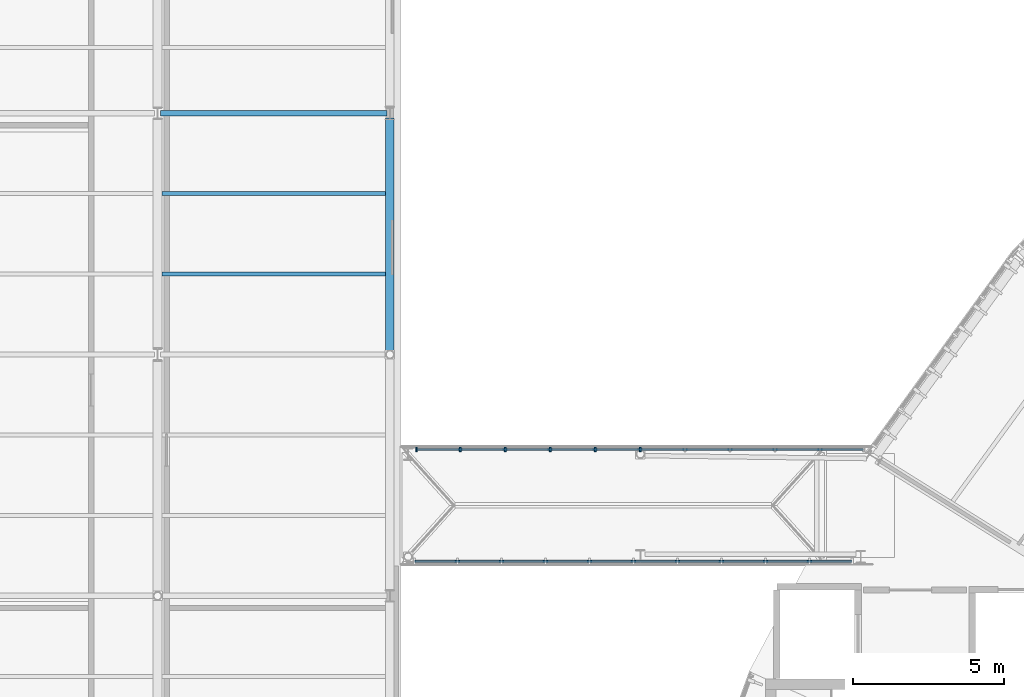
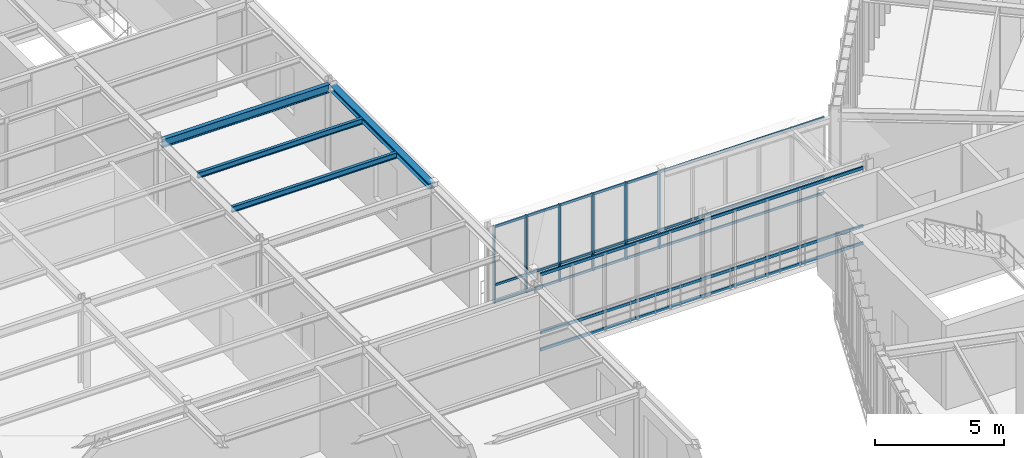
# One storey, part 15 of 52: 12 members, 4 beams, 2 elements without a shape of their own.
"""IFC4 building model written with IfcOpenShell, lengths in metres."""

from ifc_helpers import new_model, si_unit, direction, frame, origin, origin_2d, place, context, subcontext, project, spatial, rectangle, i_section, extrude, material, layer, layer_set, material_profile, profile_set, type_object, element, aggregate, save


model = new_model("IFC4")

# Units and contexts
model_context = context("Model", 3, precision=1e-05, world=origin(), true_north=direction((0.0, 1.0)))
body_context = subcontext(model_context, "Body", "Model", "MODEL_VIEW")
ifc_project = project(units=[si_unit("LENGTHUNIT", "METRE"), si_unit("AREAUNIT", "SQUARE_METRE"), si_unit("VOLUMEUNIT", "CUBIC_METRE"), si_unit("PLANEANGLEUNIT", "RADIAN"), si_unit("MASSUNIT", "GRAM", prefix="KILO"), si_unit("THERMODYNAMICTEMPERATUREUNIT", "KELVIN"), si_unit("POWERUNIT", "WATT")], contexts=[model_context])

# Site, building, storey
site_placement = place(None, origin())
site = spatial("IfcSite", under=ifc_project, at=site_placement, CompositionType="ELEMENT")
building_placement = place(site_placement, origin())
building = spatial("IfcBuilding", under=site, at=building_placement, Name="Solvatero Civic Police Headquarters", CompositionType="ELEMENT")
storey_placement = place(building_placement, frame((0.0, 0.0, 13.5)))
storey = spatial("IfcBuildingStorey", under=building, at=storey_placement, Name="L03", CompositionType="ELEMENT", Elevation=13.5)

# Beams
ifc_material_1 = material(Name="Steel S355", Category="steel")
ifc_material_profile_1 = material_profile(ifc_material_1, i_section(OverallWidth=0.280029296875, OverallDepth=0.27001953125, WebThickness=0.008056640625, FlangeThickness=0.012939453125, FilletRadius=0.02392578125, at=origin_2d()), Name="HEA 280")
ifc_profile_set_1 = profile_set([ifc_material_profile_1], Name="Steel S355")
beam_type_1 = type_object("IfcBeamType", Name="BM-ST-HEA280", PredefinedType="SPANDREL", material=ifc_profile_set_1)
beam_1_placement = place(storey_placement, frame((28.199951171875, 60.638427734375, 3.864990234375), z_axis=(0.0, 1.0, 0.0), x_axis=(-1.0, 0.0, 0.0)))
element("IfcBeam", 1, at=beam_1_placement, inside=storey, type_object=beam_type_1, Name="Perimeter / radial spandrel beam BM-R2-L03-V6-GY-4-3", PredefinedType="SPANDREL", context=body_context, shape_type="SweptSolid", body=[
    extrude(i_section(OverallWidth=0.280029296875, OverallDepth=0.27001953125, WebThickness=0.008056640625, FlangeThickness=0.012939453125, FilletRadius=0.02392578125, at=origin_2d()), origin(), (0.0, 0.0, 1.0), 7.70166015625),
])
ifc_material_profile_2 = material_profile(ifc_material_1, i_section(OverallWidth=0.135009765625, OverallDepth=0.27001953125, WebThickness=0.006591796875, FlangeThickness=0.01025390625, FilletRadius=0.014892578125, at=origin_2d()), Name="IPE 270")
ifc_profile_set_2 = profile_set([ifc_material_profile_2], Name="Steel S355")
beam_type_2 = type_object("IfcBeamType", Name="BM-ST-IPE270", PredefinedType="BEAM", material=ifc_profile_set_2)
for number, where, z_axis, x_axis, name in (
    (2, (20.64990234375, 63.166748046875, 3.864990234375), (1.0, 0.0, 0.0), (0.0, 1.0, 0.0), "Composite floor beam BM-R2-L03-V6-SEC-3-3-S1"),
    (3, (20.64990234375, 65.833251953125, 3.864990234375), (1.0, 0.0, 0.0), (0.0, 1.0, 0.0), "Composite floor beam BM-R2-L03-V6-SEC-3-3-S2"),
):
    element("IfcBeam", number, at=place(storey_placement, frame(where, z_axis=z_axis, x_axis=x_axis)), inside=storey, type_object=beam_type_2, Name=name, PredefinedType="BEAM", context=body_context, shape_type="SweptSolid", body=[
        extrude(i_section(OverallWidth=0.135009765625, OverallDepth=0.27001953125, WebThickness=0.006591796875, FlangeThickness=0.01025390625, FilletRadius=0.014892578125, at=origin_2d()), origin(), (0.0, 0.0, 1.0), 7.41015625),
    ])
ifc_material_profile_3 = material_profile(ifc_material_1, i_section(OverallWidth=0.179931640625, OverallDepth=0.39990234375, WebThickness=0.008544921875, FlangeThickness=0.013427734375, FilletRadius=0.02099609375, at=origin_2d()), Name="IPE 400")
ifc_profile_set_3 = profile_set([ifc_material_profile_3], Name="Steel S355")
beam_type_3 = type_object("IfcBeamType", Name="BM-ST-IPE400", PredefinedType="BEAM", material=ifc_profile_set_3)
beam_2_placement = place(storey_placement, frame((20.60009765625, 68.5, 3.800048828125), z_axis=(1.0, 0.0, 0.0), x_axis=(0.0, 1.0, 0.0)))
element("IfcBeam", 4, at=beam_2_placement, inside=storey, type_object=beam_type_3, Name="Primary girder BM-R2-L03-V6-GX-3-4", PredefinedType="BEAM", context=body_context, shape_type="SweptSolid", body=[
    extrude(i_section(OverallWidth=0.179931640625, OverallDepth=0.39990234375, WebThickness=0.008544921875, FlangeThickness=0.013427734375, FilletRadius=0.02099609375, at=origin_2d()), origin(), (0.0, 0.0, 1.0), 7.5),
])

# Curtain wall, members
ifc_material_2 = material(Name="Anodized Bronze Aluminium", Category="aluminium")
ifc_layer = layer(ifc_material_2, 0.179931640625)
ifc_layer_set = layer_set([ifc_layer], Name="Anodized Bronze Aluminium")
curtain_wall_type = type_object("IfcCurtainWallType", Name="CW-SB-GLZ", PredefinedType="USERDEFINED", material=ifc_layer_set)
curtain_wall_1_placement = place(storey_placement, origin())
curtain_wall_1 = element("IfcCurtainWall", 5, at=curtain_wall_1_placement, inside=storey, type_object=curtain_wall_type, Name="Curtain Wall CW-R2-L03-SB1-N", ObjectType="UNITISED", PredefinedType="USERDEFINED")
ifc_material_profile_4 = material_profile(ifc_material_2, rectangle(XDim=0.06005859375, YDim=0.159912109375, at=origin_2d()), Name="ALU MULLION 60x160")
ifc_profile_set_4 = profile_set([ifc_material_profile_4], Name="Anodized Bronze Aluminium")
member_type_1 = type_object("IfcMemberType", Name="CWM-180x70", PredefinedType="MULLION", material=ifc_profile_set_4)
member_1_placement = place(storey_placement, frame((29.080078125, 57.35009765625, 0.0), z_axis=(0.0, 0.0, 1.0), x_axis=(1.0, 0.0, 0.0)))
member_1 = element("IfcMember", 6, at=member_1_placement, type_object=member_type_1, Name="CW-R2-L03-SB1-N Mullion 1", PredefinedType="MULLION", context=body_context, shape_type="SweptSolid", body=[
    extrude(rectangle(XDim=0.06005859375, YDim=0.159912109375, at=origin_2d()), origin(), (0.0, 0.0, 1.0), 3.64990234375),
])
member_2_placement = place(storey_placement, frame((30.530029296875, 57.35009765625, 0.0), z_axis=(0.0, 0.0, 1.0), x_axis=(1.0, 0.0, 0.0)))
member_2 = element("IfcMember", 7, at=member_2_placement, type_object=member_type_1, Name="CW-R2-L03-SB1-N Mullion 2", PredefinedType="MULLION", context=body_context, shape_type="SweptSolid", body=[
    extrude(rectangle(XDim=0.06005859375, YDim=0.159912109375, at=origin_2d()), origin(), (0.0, 0.0, 1.0), 3.64990234375),
])
member_3_placement = place(storey_placement, frame((32.02001953125, 57.35009765625, 0.0), z_axis=(0.0, 0.0, 1.0), x_axis=(1.0, 0.0, 0.0)))
member_3 = element("IfcMember", 8, at=member_3_placement, type_object=member_type_1, Name="CW-R2-L03-SB1-N Mullion 3", PredefinedType="MULLION", context=body_context, shape_type="SweptSolid", body=[
    extrude(rectangle(XDim=0.06005859375, YDim=0.159912109375, at=origin_2d()), origin(), (0.0, 0.0, 1.0), 3.64990234375),
])
member_4_placement = place(storey_placement, frame((33.510009765625, 57.35009765625, 0.0), z_axis=(0.0, 0.0, 1.0), x_axis=(1.0, 0.0, 0.0)))
member_4 = element("IfcMember", 9, at=member_4_placement, type_object=member_type_1, Name="CW-R2-L03-SB1-N Mullion 4", PredefinedType="MULLION", context=body_context, shape_type="SweptSolid", body=[
    extrude(rectangle(XDim=0.06005859375, YDim=0.159912109375, at=origin_2d()), origin(), (0.0, 0.0, 1.0), 3.64990234375),
])
member_5_placement = place(storey_placement, frame((35.0, 57.35009765625, 0.0), z_axis=(0.0, 0.0, 1.0), x_axis=(1.0, 0.0, 0.0)))
member_5 = element("IfcMember", 10, at=member_5_placement, type_object=member_type_1, Name="CW-R2-L03-SB1-N Mullion 5", PredefinedType="MULLION", context=body_context, shape_type="SweptSolid", body=[
    extrude(rectangle(XDim=0.06005859375, YDim=0.159912109375, at=origin_2d()), origin(), (0.0, 0.0, 1.0), 3.64990234375),
])
member_6_placement = place(storey_placement, frame((36.489990234375, 57.35009765625, 0.0), z_axis=(0.0, 0.0, 1.0), x_axis=(1.0, 0.0, 0.0)))
member_6 = element("IfcMember", 11, at=member_6_placement, type_object=member_type_1, Name="CW-R2-L03-SB1-N Mullion 6", PredefinedType="MULLION", context=body_context, shape_type="SweptSolid", body=[
    extrude(rectangle(XDim=0.06005859375, YDim=0.159912109375, at=origin_2d()), origin(), (0.0, 0.0, 1.0), 3.64990234375),
])
ifc_material_profile_5 = material_profile(ifc_material_2, rectangle(XDim=0.06005859375, YDim=0.110107421875, at=origin_2d()), Name="ALU TRANSOM 60x110")
ifc_profile_set_5 = profile_set([ifc_material_profile_5], Name="Anodized Bronze Aluminium")
member_type_2 = type_object("IfcMemberType", Name="CWT-140x60", PredefinedType="USERDEFINED", material=ifc_profile_set_5)
member_7_placement = place(storey_placement, frame((29.090087890625, 57.35009765625, 0.0400390625), z_axis=(1.0, 0.0, 0.0), x_axis=(0.0, 1.0, 0.0)))
member_7 = element("IfcMember", 12, at=member_7_placement, type_object=member_type_2, Name="CW-R2-L03-SB1-N Transom 1", ObjectType="TRANSOM", PredefinedType="USERDEFINED", context=body_context, shape_type="SweptSolid", body=[
    extrude(rectangle(XDim=0.06005859375, YDim=0.110107421875, at=origin_2d()), origin(), (0.0, 0.0, 1.0), 14.7998046875),
])
member_8_placement = place(storey_placement, frame((29.090087890625, 57.35009765625, 0.85009765625), z_axis=(1.0, 0.0, 0.0), x_axis=(0.0, 1.0, 0.0)))
member_8 = element("IfcMember", 13, at=member_8_placement, type_object=member_type_2, Name="CW-R2-L03-SB1-N Transom 2", ObjectType="TRANSOM", PredefinedType="USERDEFINED", context=body_context, shape_type="SweptSolid", body=[
    extrude(rectangle(XDim=0.06005859375, YDim=0.110107421875, at=origin_2d()), origin(), (0.0, 0.0, 1.0), 14.7998046875),
])
member_9_placement = place(storey_placement, frame((29.090087890625, 57.35009765625, 3.610107421875), z_axis=(1.0, 0.0, 0.0), x_axis=(0.0, 1.0, 0.0)))
member_9 = element("IfcMember", 14, at=member_9_placement, type_object=member_type_2, Name="CW-R2-L03-SB1-N Transom 3", ObjectType="TRANSOM", PredefinedType="USERDEFINED", context=body_context, shape_type="SweptSolid", body=[
    extrude(rectangle(XDim=0.06005859375, YDim=0.110107421875, at=origin_2d()), origin(), (0.0, 0.0, 1.0), 14.7998046875),
])
aggregate(curtain_wall_1, [member_1, member_2, member_3, member_4, member_5, member_6, member_7, member_8, member_9])

curtain_wall_2_placement = place(storey_placement, origin())
curtain_wall_2 = element("IfcCurtainWall", 15, at=curtain_wall_2_placement, inside=storey, type_object=curtain_wall_type, Name="Curtain Wall CW-R2-L03-SB1-S", ObjectType="UNITISED", PredefinedType="USERDEFINED")
ifc_material_profile_6 = material_profile(ifc_material_2, rectangle(XDim=0.06494140625, YDim=0.139892578125, at=origin_2d()), Name="ALU TRANSOM 65x140")
ifc_profile_set_6 = profile_set([ifc_material_profile_6], Name="Anodized Bronze Aluminium")
member_type_3 = type_object("IfcMemberType", Name="CWT-180x70", PredefinedType="USERDEFINED", material=ifc_profile_set_6)
member_10_placement = place(storey_placement, frame((29.026611328125, 53.64990234375, 0.0400390625), z_axis=(1.0, 0.0, 0.0), x_axis=(0.0, 1.0, 0.0)))
member_10 = element("IfcMember", 16, at=member_10_placement, type_object=member_type_3, Name="CW-R2-L03-SB1-S Transom 1", ObjectType="TRANSOM", PredefinedType="USERDEFINED", context=body_context, shape_type="SweptSolid", body=[
    extrude(rectangle(XDim=0.06494140625, YDim=0.139892578125, at=origin_2d()), origin(), (0.0, 0.0, 1.0), 14.4833984375),
])
member_11_placement = place(storey_placement, frame((29.026611328125, 53.64990234375, 0.85009765625), z_axis=(1.0, 0.0, 0.0), x_axis=(0.0, 1.0, 0.0)))
member_11 = element("IfcMember", 17, at=member_11_placement, type_object=member_type_3, Name="CW-R2-L03-SB1-S Transom 2", ObjectType="TRANSOM", PredefinedType="USERDEFINED", context=body_context, shape_type="SweptSolid", body=[
    extrude(rectangle(XDim=0.06494140625, YDim=0.139892578125, at=origin_2d()), origin(), (0.0, 0.0, 1.0), 14.4833984375),
])
member_12_placement = place(storey_placement, frame((29.026611328125, 53.64990234375, 3.610107421875), z_axis=(1.0, 0.0, 0.0), x_axis=(0.0, 1.0, 0.0)))
member_12 = element("IfcMember", 18, at=member_12_placement, type_object=member_type_3, Name="CW-R2-L03-SB1-S Transom 3", ObjectType="TRANSOM", PredefinedType="USERDEFINED", context=body_context, shape_type="SweptSolid", body=[
    extrude(rectangle(XDim=0.06494140625, YDim=0.139892578125, at=origin_2d()), origin(), (0.0, 0.0, 1.0), 14.4833984375),
])
aggregate(curtain_wall_2, [member_10, member_11, member_12])

save(model, "model.ifc")
